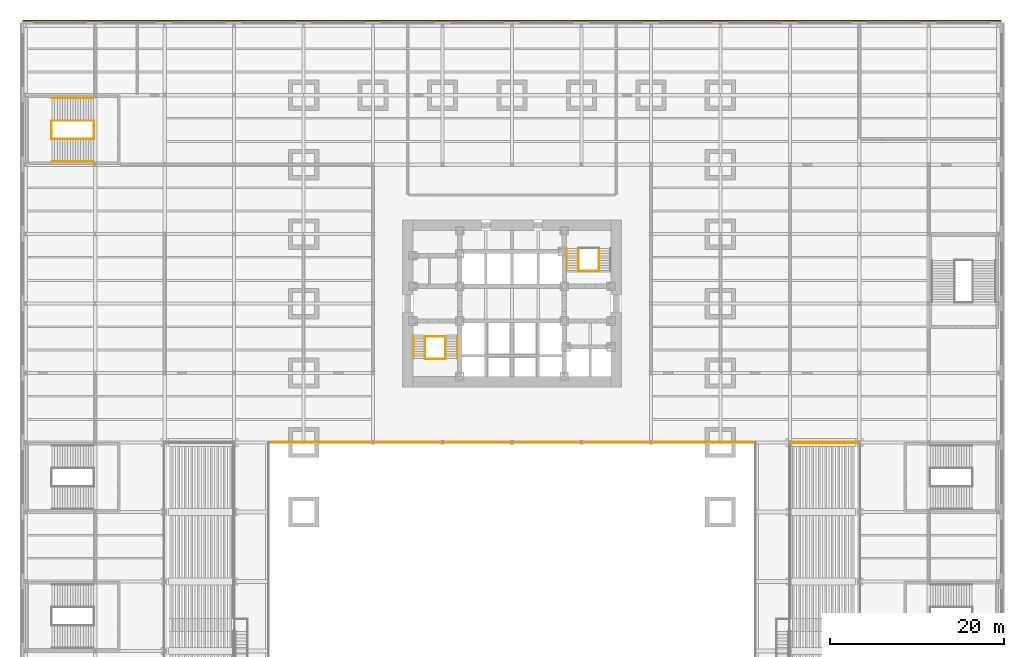
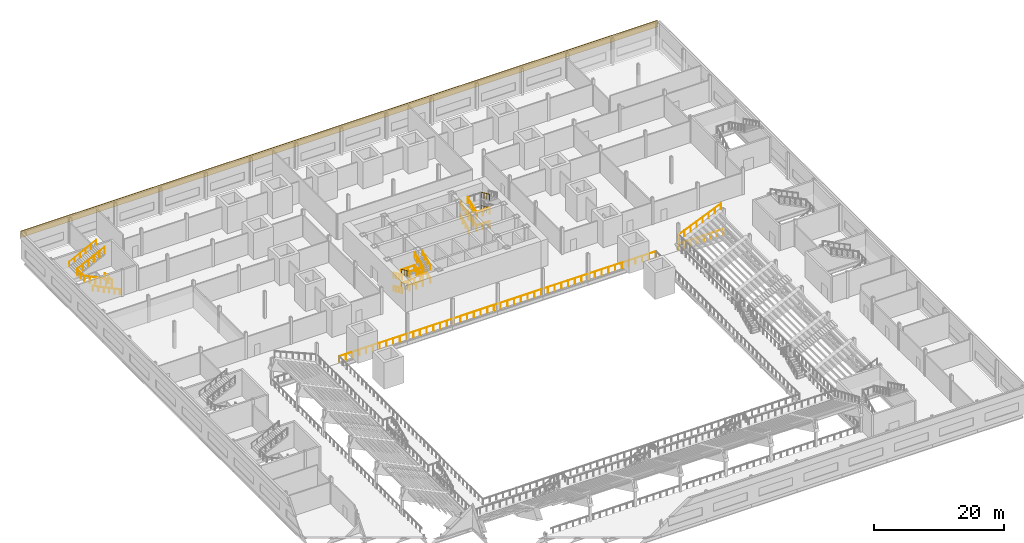
# One storey, part 26 of 27: 30 railings, 1 covering.
"""IFC4 building model written with IfcOpenShell, lengths in metres."""

from ifc_helpers import new_model, si_unit, direction, frame, origin, origin_2d, place, context, subcontext, project, spatial, rectangle, circle, extrude, material, layer, layer_set, type_object, element, save


model = new_model("IFC4")

# Units and contexts
model_context = context("Model", 3, precision=1e-05, world=origin(), true_north=direction((0.0, 1.0)))
body_context = subcontext(model_context, "Body", "Model", "MODEL_VIEW")
ifc_project = project(units=[si_unit("LENGTHUNIT", "METRE"), si_unit("AREAUNIT", "SQUARE_METRE"), si_unit("VOLUMEUNIT", "CUBIC_METRE"), si_unit("PLANEANGLEUNIT", "RADIAN"), si_unit("MASSUNIT", "GRAM", prefix="KILO")], contexts=[model_context])

# Site, building, storey
site_placement = place(None, origin())
site = spatial("IfcSite", under=ifc_project, at=site_placement, CompositionType="ELEMENT")
building_placement = place(site_placement, origin())
building = spatial("IfcBuilding", under=site, at=building_placement, Name="Daluyong Arena Tower", CompositionType="ELEMENT")
storey_placement = place(building_placement, frame((0.0, 0.0, 14.89990234375)))
storey = spatial("IfcBuildingStorey", under=building, at=storey_placement, Name="L03", CompositionType="ELEMENT", Elevation=14.89990234375)

# Railings
ifc_material_1 = material(Name="Steel guard with glass infill", Category="steel")
railing_type_1 = type_object("IfcRailingType", Name="Floor edge guard 1100", PredefinedType="GUARDRAIL", material=ifc_material_1)
railing_1_placement = place(storey_placement, frame((88.0, 63.949951171875, 1.785888671875)))
element("IfcRailing", 1, at=railing_1_placement, inside=storey, type_object=railing_type_1, Name="bowl guard", PredefinedType="GUARDRAIL", context=body_context, shape_type="SweptSolid", body=[
    extrude(circle(Radius=0.02392578125, at=origin_2d()), frame((0.0, 0.0, 1.076171875), z_axis=(0.919152767859, 0.0, 0.393901243127), x_axis=(0.0, 1.0, 0.0)), (0.0, 0.0, 1.0), 8.15966796875),
    extrude(circle(Radius=0.02099609375, at=origin_2d()), origin(), (0.0, 0.0, 1.0), 1.052001953125),
    extrude(circle(Radius=0.02099609375, at=origin_2d()), frame((1.071533203125, 0.0, 0.459228515625)), (0.0, 0.0, 1.0), 1.052001953125),
    extrude(circle(Radius=0.02099609375, at=origin_2d()), frame((2.142822265625, 0.0, 0.918212890625)), (0.0, 0.0, 1.0), 1.052001953125),
    extrude(circle(Radius=0.02099609375, at=origin_2d()), frame((3.21435546875, 0.0, 1.37744140625)), (0.0, 0.0, 1.0), 1.052001953125),
    extrude(circle(Radius=0.02099609375, at=origin_2d()), frame((4.28564453125, 0.0, 1.836669921875)), (0.0, 0.0, 1.0), 1.052001953125),
    extrude(circle(Radius=0.02099609375, at=origin_2d()), frame((5.357177734375, 0.0, 2.2958984375)), (0.0, 0.0, 1.0), 1.052001953125),
    extrude(circle(Radius=0.02099609375, at=origin_2d()), frame((6.428466796875, 0.0, 2.7548828125)), (0.0, 0.0, 1.0), 1.052001953125),
    extrude(circle(Radius=0.02099609375, at=origin_2d()), frame((7.5, 0.0, 3.214111328125)), (0.0, 0.0, 1.0), 1.052001953125),
])
railing_2_placement = place(storey_placement, frame((88.0, 64.050048828125, 0.0)))
element("IfcRailing", 2, at=railing_2_placement, inside=storey, type_object=railing_type_1, Name="floor edge guard L03", PredefinedType="GUARDRAIL", context=body_context, shape_type="SweptSolid", body=[
    extrude(circle(Radius=0.02392578125, at=origin_2d()), frame((0.0, 0.0, 1.076171875), z_axis=(1.0, 0.0, 0.0), x_axis=(0.0, 1.0, 0.0)), (0.0, 0.0, 1.0), 8.0),
    extrude(circle(Radius=0.02099609375, at=origin_2d()), origin(), (0.0, 0.0, 1.0), 1.052001953125),
    extrude(circle(Radius=0.02099609375, at=origin_2d()), frame((1.142822265625, 0.0, 0.0)), (0.0, 0.0, 1.0), 1.052001953125),
    extrude(circle(Radius=0.02099609375, at=origin_2d()), frame((2.28564453125, 0.0, 0.0)), (0.0, 0.0, 1.0), 1.052001953125),
    extrude(circle(Radius=0.02099609375, at=origin_2d()), frame((3.428466796875, 0.0, 0.0)), (0.0, 0.0, 1.0), 1.052001953125),
    extrude(circle(Radius=0.02099609375, at=origin_2d()), frame((4.571533203125, 0.0, 0.0)), (0.0, 0.0, 1.0), 1.052001953125),
    extrude(circle(Radius=0.02099609375, at=origin_2d()), frame((5.71435546875, 0.0, 0.0)), (0.0, 0.0, 1.0), 1.052001953125),
    extrude(circle(Radius=0.02099609375, at=origin_2d()), frame((6.857177734375, 0.0, 0.0)), (0.0, 0.0, 1.0), 1.052001953125),
    extrude(circle(Radius=0.02099609375, at=origin_2d()), frame((8.0, 0.0, 0.0)), (0.0, 0.0, 1.0), 1.052001953125),
])
railing_3_placement = place(storey_placement, frame((28.0, 64.050048828125, 0.0)))
element("IfcRailing", 3, at=railing_3_placement, inside=storey, type_object=railing_type_1, Name="floor edge guard L03", PredefinedType="GUARDRAIL", context=body_context, shape_type="SweptSolid", body=[
    extrude(circle(Radius=0.02392578125, at=origin_2d()), frame((0.0, 0.0, 1.076171875), z_axis=(1.0, 0.0, 0.0), x_axis=(0.0, 1.0, 0.0)), (0.0, 0.0, 1.0), 56.0),
    extrude(circle(Radius=0.02099609375, at=origin_2d()), origin(), (0.0, 0.0, 1.0), 1.052001953125),
    extrude(circle(Radius=0.02099609375, at=origin_2d()), frame((1.19140625, 0.0, 0.0)), (0.0, 0.0, 1.0), 1.052001953125),
    extrude(circle(Radius=0.02099609375, at=origin_2d()), frame((2.383056640625, 0.0, 0.0)), (0.0, 0.0, 1.0), 1.052001953125),
    extrude(circle(Radius=0.02099609375, at=origin_2d()), frame((3.574462890625, 0.0, 0.0)), (0.0, 0.0, 1.0), 1.052001953125),
    extrude(circle(Radius=0.02099609375, at=origin_2d()), frame((4.765869140625, 0.0, 0.0)), (0.0, 0.0, 1.0), 1.052001953125),
    extrude(circle(Radius=0.02099609375, at=origin_2d()), frame((5.95751953125, 0.0, 0.0)), (0.0, 0.0, 1.0), 1.052001953125),
    extrude(circle(Radius=0.02099609375, at=origin_2d()), frame((7.14892578125, 0.0, 0.0)), (0.0, 0.0, 1.0), 1.052001953125),
    extrude(circle(Radius=0.02099609375, at=origin_2d()), frame((8.34033203125, 0.0, 0.0)), (0.0, 0.0, 1.0), 1.052001953125),
    extrude(circle(Radius=0.02099609375, at=origin_2d()), frame((9.531982421875, 0.0, 0.0)), (0.0, 0.0, 1.0), 1.052001953125),
    extrude(circle(Radius=0.02099609375, at=origin_2d()), frame((10.723388671875, 0.0, 0.0)), (0.0, 0.0, 1.0), 1.052001953125),
    extrude(circle(Radius=0.02099609375, at=origin_2d()), frame((11.914794921875, 0.0, 0.0)), (0.0, 0.0, 1.0), 1.052001953125),
    extrude(circle(Radius=0.02099609375, at=origin_2d()), frame((13.1064453125, 0.0, 0.0)), (0.0, 0.0, 1.0), 1.052001953125),
    extrude(circle(Radius=0.02099609375, at=origin_2d()), frame((14.2978515625, 0.0, 0.0)), (0.0, 0.0, 1.0), 1.052001953125),
    extrude(circle(Radius=0.02099609375, at=origin_2d()), frame((15.4892578125, 0.0, 0.0)), (0.0, 0.0, 1.0), 1.052001953125),
    extrude(circle(Radius=0.02099609375, at=origin_2d()), frame((16.680908203125, 0.0, 0.0)), (0.0, 0.0, 1.0), 1.052001953125),
    extrude(circle(Radius=0.02099609375, at=origin_2d()), frame((17.872314453125, 0.0, 0.0)), (0.0, 0.0, 1.0), 1.052001953125),
    extrude(circle(Radius=0.02099609375, at=origin_2d()), frame((19.063720703125, 0.0, 0.0)), (0.0, 0.0, 1.0), 1.052001953125),
    extrude(circle(Radius=0.02099609375, at=origin_2d()), frame((20.25537109375, 0.0, 0.0)), (0.0, 0.0, 1.0), 1.052001953125),
    extrude(circle(Radius=0.02099609375, at=origin_2d()), frame((21.44677734375, 0.0, 0.0)), (0.0, 0.0, 1.0), 1.052001953125),
    extrude(circle(Radius=0.02099609375, at=origin_2d()), frame((22.63818359375, 0.0, 0.0)), (0.0, 0.0, 1.0), 1.052001953125),
    extrude(circle(Radius=0.02099609375, at=origin_2d()), frame((23.829833984375, 0.0, 0.0)), (0.0, 0.0, 1.0), 1.052001953125),
    extrude(circle(Radius=0.02099609375, at=origin_2d()), frame((25.021240234375, 0.0, 0.0)), (0.0, 0.0, 1.0), 1.052001953125),
    extrude(circle(Radius=0.02099609375, at=origin_2d()), frame((26.212646484375, 0.0, 0.0)), (0.0, 0.0, 1.0), 1.052001953125),
    extrude(circle(Radius=0.02099609375, at=origin_2d()), frame((27.404296875, 0.0, 0.0)), (0.0, 0.0, 1.0), 1.052001953125),
    extrude(circle(Radius=0.02099609375, at=origin_2d()), frame((28.595703125, 0.0, 0.0)), (0.0, 0.0, 1.0), 1.052001953125),
    extrude(circle(Radius=0.02099609375, at=origin_2d()), frame((29.787353515625, 0.0, 0.0)), (0.0, 0.0, 1.0), 1.052001953125),
    extrude(circle(Radius=0.02099609375, at=origin_2d()), frame((30.978759765625, 0.0, 0.0)), (0.0, 0.0, 1.0), 1.052001953125),
    extrude(circle(Radius=0.02099609375, at=origin_2d()), frame((32.170166015625, 0.0, 0.0)), (0.0, 0.0, 1.0), 1.052001953125),
    extrude(circle(Radius=0.02099609375, at=origin_2d()), frame((33.36181640625, 0.0, 0.0)), (0.0, 0.0, 1.0), 1.052001953125),
    extrude(circle(Radius=0.02099609375, at=origin_2d()), frame((34.55322265625, 0.0, 0.0)), (0.0, 0.0, 1.0), 1.052001953125),
    extrude(circle(Radius=0.02099609375, at=origin_2d()), frame((35.74462890625, 0.0, 0.0)), (0.0, 0.0, 1.0), 1.052001953125),
    extrude(circle(Radius=0.02099609375, at=origin_2d()), frame((36.936279296875, 0.0, 0.0)), (0.0, 0.0, 1.0), 1.052001953125),
    extrude(circle(Radius=0.02099609375, at=origin_2d()), frame((38.127685546875, 0.0, 0.0)), (0.0, 0.0, 1.0), 1.052001953125),
    extrude(circle(Radius=0.02099609375, at=origin_2d()), frame((39.319091796875, 0.0, 0.0)), (0.0, 0.0, 1.0), 1.052001953125),
    extrude(circle(Radius=0.02099609375, at=origin_2d()), frame((40.5107421875, 0.0, 0.0)), (0.0, 0.0, 1.0), 1.052001953125),
    extrude(circle(Radius=0.02099609375, at=origin_2d()), frame((41.7021484375, 0.0, 0.0)), (0.0, 0.0, 1.0), 1.052001953125),
    extrude(circle(Radius=0.02099609375, at=origin_2d()), frame((42.8935546875, 0.0, 0.0)), (0.0, 0.0, 1.0), 1.052001953125),
    extrude(circle(Radius=0.02099609375, at=origin_2d()), frame((44.085205078125, 0.0, 0.0)), (0.0, 0.0, 1.0), 1.052001953125),
    extrude(circle(Radius=0.02099609375, at=origin_2d()), frame((45.276611328125, 0.0, 0.0)), (0.0, 0.0, 1.0), 1.052001953125),
    extrude(circle(Radius=0.02099609375, at=origin_2d()), frame((46.468017578125, 0.0, 0.0)), (0.0, 0.0, 1.0), 1.052001953125),
    extrude(circle(Radius=0.02099609375, at=origin_2d()), frame((47.65966796875, 0.0, 0.0)), (0.0, 0.0, 1.0), 1.052001953125),
    extrude(circle(Radius=0.02099609375, at=origin_2d()), frame((48.85107421875, 0.0, 0.0)), (0.0, 0.0, 1.0), 1.052001953125),
    extrude(circle(Radius=0.02099609375, at=origin_2d()), frame((50.04248046875, 0.0, 0.0)), (0.0, 0.0, 1.0), 1.052001953125),
    extrude(circle(Radius=0.02099609375, at=origin_2d()), frame((51.234130859375, 0.0, 0.0)), (0.0, 0.0, 1.0), 1.052001953125),
    extrude(circle(Radius=0.02099609375, at=origin_2d()), frame((52.425537109375, 0.0, 0.0)), (0.0, 0.0, 1.0), 1.052001953125),
    extrude(circle(Radius=0.02099609375, at=origin_2d()), frame((53.616943359375, 0.0, 0.0)), (0.0, 0.0, 1.0), 1.052001953125),
    extrude(circle(Radius=0.02099609375, at=origin_2d()), frame((54.80859375, 0.0, 0.0)), (0.0, 0.0, 1.0), 1.052001953125),
    extrude(circle(Radius=0.02099609375, at=origin_2d()), frame((56.0, 0.0, 0.0)), (0.0, 0.0, 1.0), 1.052001953125),
])

# Covering
ifc_material_2 = material(Name="Red-pigmented glass fibre reinforced concrete", Category="concrete")
ifc_layer = layer(ifc_material_2, 0.14990234375)
ifc_layer_set = layer_set([ifc_layer], Name="Red-pigmented glass fibre reinforced concrete")
covering_type = type_object("IfcCoveringType", Name="Podium band cladding", PredefinedType="CLADDING", material=ifc_layer_set)
covering_placement = place(storey_placement, frame((56.0, 112.574951171875, 3.80029296875), z_axis=(0.0, 0.0, 1.0), x_axis=(-1.0, 0.0, 0.0)))
element("IfcCovering", 4, at=covering_placement, inside=storey, type_object=covering_type, Name="podium band N L03", PredefinedType="CLADDING", context=body_context, shape_type="SweptSolid", body=[
    extrude(rectangle(XDim=112.699951171875, YDim=0.14990234375, at=origin_2d()), origin(), (0.0, 0.0, 1.0), 1.199951171875),
])

# Railings
ifc_material_3 = material(Name="Stainless steel handrail", Category="steel")
railing_type_2 = type_object("IfcRailingType", Name="Stair handrail", PredefinedType="HANDRAIL", material=ifc_material_3)
railing_4_placement = place(storey_placement, frame((44.64990234375, 76.175048828125, 0.125)))
element("IfcRailing", 5, at=railing_4_placement, inside=storey, type_object=railing_type_2, Name="exit stair A handrail L03", PredefinedType="HANDRAIL", context=body_context, shape_type="SweptSolid", body=[
    extrude(circle(Radius=0.02392578125, at=origin_2d()), frame((0.0, 0.0, 0.8759765625), z_axis=(0.0, -0.913139058521, 0.407648205936), x_axis=(1.0, 0.0, 0.0)), (0.0, 0.0, 1.0), 2.759765625),
    extrude(circle(Radius=0.02099609375, at=origin_2d()), origin(), (0.0, 0.0, 1.0), 0.851806640625),
    extrude(circle(Radius=0.02099609375, at=origin_2d()), frame((0.0, -0.840087890625, 0.375)), (0.0, 0.0, 1.0), 0.851806640625),
    extrude(circle(Radius=0.02099609375, at=origin_2d()), frame((0.0, -1.679931640625, 0.75)), (0.0, 0.0, 1.0), 0.851806640625),
    extrude(circle(Radius=0.02099609375, at=origin_2d()), frame((0.0, -2.52001953125, 1.125)), (0.0, 0.0, 1.0), 0.851806640625),
])
railing_5_placement = place(storey_placement, frame((49.699951171875, 73.655029296875, 1.375)))
element("IfcRailing", 6, at=railing_5_placement, inside=storey, type_object=railing_type_2, Name="exit stair A handrail L03", PredefinedType="HANDRAIL", context=body_context, shape_type="SweptSolid", body=[
    extrude(circle(Radius=0.02392578125, at=origin_2d()), frame((0.0, 0.0, 0.8759765625), z_axis=(0.0, 0.913139058521, 0.407648205936), x_axis=(-1.0, 0.0, 0.0)), (0.0, 0.0, 1.0), 2.759765625),
    extrude(circle(Radius=0.02099609375, at=origin_2d()), origin(), (0.0, 0.0, 1.0), 0.851806640625),
    extrude(circle(Radius=0.02099609375, at=origin_2d()), frame((0.0, 0.840087890625, 0.375)), (0.0, 0.0, 1.0), 0.851806640625),
    extrude(circle(Radius=0.02099609375, at=origin_2d()), frame((0.0, 1.679931640625, 0.75)), (0.0, 0.0, 1.0), 0.851806640625),
    extrude(circle(Radius=0.02099609375, at=origin_2d()), frame((0.0, 2.52001953125, 1.125)), (0.0, 0.0, 1.0), 0.851806640625),
])
railing_6_placement = place(storey_placement, frame((44.64990234375, 76.175048828125, 2.625)))
element("IfcRailing", 7, at=railing_6_placement, inside=storey, type_object=railing_type_2, Name="exit stair A handrail L03", PredefinedType="HANDRAIL", context=body_context, shape_type="SweptSolid", body=[
    extrude(circle(Radius=0.02392578125, at=origin_2d()), frame((0.0, 0.0, 0.8759765625), z_axis=(0.0, -0.913139058521, 0.407648205936), x_axis=(1.0, 0.0, 0.0)), (0.0, 0.0, 1.0), 2.759765625),
    extrude(circle(Radius=0.02099609375, at=origin_2d()), origin(), (0.0, 0.0, 1.0), 0.851806640625),
    extrude(circle(Radius=0.02099609375, at=origin_2d()), frame((0.0, -0.840087890625, 0.375)), (0.0, 0.0, 1.0), 0.851806640625),
    extrude(circle(Radius=0.02099609375, at=origin_2d()), frame((0.0, -1.679931640625, 0.75)), (0.0, 0.0, 1.0), 0.851806640625),
    extrude(circle(Radius=0.02099609375, at=origin_2d()), frame((0.0, -2.52001953125, 1.125)), (0.0, 0.0, 1.0), 0.851806640625),
])
for number, where, name in (
    (8, (49.699951171875, 73.655029296875, 3.875), "exit stair A handrail L03"),
    (9, (62.300048828125, 83.824951171875, 0.125), "exit stair B handrail L03"),
    (10, (62.300048828125, 83.824951171875, 2.625), "exit stair B handrail L03"),
):
    element("IfcRailing", number, at=place(storey_placement, frame(where)), inside=storey, type_object=railing_type_2, Name=name, PredefinedType="HANDRAIL", context=body_context, shape_type="SweptSolid", body=[
        extrude(circle(Radius=0.02392578125, at=origin_2d()), frame((0.0, 0.0, 0.8759765625), z_axis=(0.0, 0.913139058521, 0.407648205936), x_axis=(-1.0, 0.0, 0.0)), (0.0, 0.0, 1.0), 2.759765625),
        extrude(circle(Radius=0.02099609375, at=origin_2d()), origin(), (0.0, 0.0, 1.0), 0.851806640625),
        extrude(circle(Radius=0.02099609375, at=origin_2d()), frame((0.0, 0.840087890625, 0.375)), (0.0, 0.0, 1.0), 0.851806640625),
        extrude(circle(Radius=0.02099609375, at=origin_2d()), frame((0.0, 1.679931640625, 0.75)), (0.0, 0.0, 1.0), 0.851806640625),
        extrude(circle(Radius=0.02099609375, at=origin_2d()), frame((0.0, 2.52001953125, 1.125)), (0.0, 0.0, 1.0), 0.851806640625),
    ])
railing_7_placement = place(storey_placement, frame((7.840087890625, 96.35009765625, 0.147216796875)))
element("IfcRailing", 11, at=railing_7_placement, inside=storey, type_object=railing_type_2, Name="exit stair PS5 handrail L03", PredefinedType="HANDRAIL", context=body_context, shape_type="SweptSolid", body=[
    extrude(circle(Radius=0.02392578125, at=origin_2d()), frame((0.0, 0.0, 0.8759765625), z_axis=(-0.89793417156, 0.0, 0.440129780343), x_axis=(0.0, -1.0, 0.0)), (0.0, 0.0, 1.0), 5.345703125),
    extrude(circle(Radius=0.02099609375, at=origin_2d()), origin(), (0.0, 0.0, 1.0), 0.851806640625),
    extrude(circle(Radius=0.02099609375, at=origin_2d()), frame((-0.9599609375, 0.0, 0.470458984375)), (0.0, 0.0, 1.0), 0.851806640625),
    extrude(circle(Radius=0.02099609375, at=origin_2d()), frame((-1.919921875, 0.0, 0.941162109375)), (0.0, 0.0, 1.0), 0.851806640625),
    extrude(circle(Radius=0.02099609375, at=origin_2d()), frame((-2.880126953125, 0.0, 1.41162109375)), (0.0, 0.0, 1.0), 0.851806640625),
    extrude(circle(Radius=0.02099609375, at=origin_2d()), frame((-3.840087890625, 0.0, 1.88232421875)), (0.0, 0.0, 1.0), 0.851806640625),
    extrude(circle(Radius=0.02099609375, at=origin_2d()), frame((-4.800048828125, 0.0, 2.352783203125)), (0.0, 0.0, 1.0), 0.851806640625),
])
railing_8_placement = place(storey_placement, frame((3.0400390625, 103.64990234375, 2.647216796875)))
element("IfcRailing", 12, at=railing_8_placement, inside=storey, type_object=railing_type_2, Name="exit stair PS5 handrail L03", PredefinedType="HANDRAIL", context=body_context, shape_type="SweptSolid", body=[
    extrude(circle(Radius=0.02392578125, at=origin_2d()), frame((0.0, 0.0, 0.8759765625), z_axis=(0.89793417156, 0.0, 0.440129780343), x_axis=(0.0, 1.0, 0.0)), (0.0, 0.0, 1.0), 5.345703125),
    extrude(circle(Radius=0.02099609375, at=origin_2d()), origin(), (0.0, 0.0, 1.0), 0.851806640625),
    extrude(circle(Radius=0.02099609375, at=origin_2d()), frame((0.9599609375, 0.0, 0.470458984375)), (0.0, 0.0, 1.0), 0.851806640625),
    extrude(circle(Radius=0.02099609375, at=origin_2d()), frame((1.919921875, 0.0, 0.941162109375)), (0.0, 0.0, 1.0), 0.851806640625),
    extrude(circle(Radius=0.02099609375, at=origin_2d()), frame((2.880126953125, 0.0, 1.41162109375)), (0.0, 0.0, 1.0), 0.851806640625),
    extrude(circle(Radius=0.02099609375, at=origin_2d()), frame((3.840087890625, 0.0, 1.88232421875)), (0.0, 0.0, 1.0), 0.851806640625),
    extrude(circle(Radius=0.02099609375, at=origin_2d()), frame((4.800048828125, 0.0, 2.352783203125)), (0.0, 0.0, 1.0), 0.851806640625),
])
ifc_material_4 = material(Name="Steel balustrade", Category="steel")
railing_type_3 = type_object("IfcRailingType", Name="Stair well guard 1100", PredefinedType="GUARDRAIL", material=ifc_material_4)
railing_9_placement = place(storey_placement, frame((46.0, 76.175048828125, 0.125)))
element("IfcRailing", 13, at=railing_9_placement, inside=storey, type_object=railing_type_3, Name="exit stair A well guard L03", PredefinedType="GUARDRAIL", context=body_context, shape_type="SweptSolid", body=[
    extrude(circle(Radius=0.02392578125, at=origin_2d()), frame((0.0, 0.0, 1.076171875), z_axis=(0.0, -0.913139058521, 0.407648205936), x_axis=(1.0, 0.0, 0.0)), (0.0, 0.0, 1.0), 2.759765625),
    extrude(circle(Radius=0.02099609375, at=origin_2d()), origin(), (0.0, 0.0, 1.0), 1.052001953125),
    extrude(circle(Radius=0.02099609375, at=origin_2d()), frame((0.0, -0.840087890625, 0.375)), (0.0, 0.0, 1.0), 1.052001953125),
    extrude(circle(Radius=0.02099609375, at=origin_2d()), frame((0.0, -1.679931640625, 0.75)), (0.0, 0.0, 1.0), 1.052001953125),
    extrude(circle(Radius=0.02099609375, at=origin_2d()), frame((0.0, -2.52001953125, 1.125)), (0.0, 0.0, 1.0), 1.052001953125),
])
railing_10_placement = place(storey_placement, frame((48.35009765625, 73.655029296875, 1.375)))
element("IfcRailing", 14, at=railing_10_placement, inside=storey, type_object=railing_type_3, Name="exit stair A well guard L03", PredefinedType="GUARDRAIL", context=body_context, shape_type="SweptSolid", body=[
    extrude(circle(Radius=0.02392578125, at=origin_2d()), frame((0.0, 0.0, 1.076171875), z_axis=(0.0, 0.913139058521, 0.407648205936), x_axis=(-1.0, 0.0, 0.0)), (0.0, 0.0, 1.0), 2.759765625),
    extrude(circle(Radius=0.02099609375, at=origin_2d()), origin(), (0.0, 0.0, 1.0), 1.052001953125),
    extrude(circle(Radius=0.02099609375, at=origin_2d()), frame((0.0, 0.840087890625, 0.375)), (0.0, 0.0, 1.0), 1.052001953125),
    extrude(circle(Radius=0.02099609375, at=origin_2d()), frame((0.0, 1.679931640625, 0.75)), (0.0, 0.0, 1.0), 1.052001953125),
    extrude(circle(Radius=0.02099609375, at=origin_2d()), frame((0.0, 2.52001953125, 1.125)), (0.0, 0.0, 1.0), 1.052001953125),
])
railing_11_placement = place(storey_placement, frame((46.0, 76.175048828125, 2.625)))
element("IfcRailing", 15, at=railing_11_placement, inside=storey, type_object=railing_type_3, Name="exit stair A well guard L03", PredefinedType="GUARDRAIL", context=body_context, shape_type="SweptSolid", body=[
    extrude(circle(Radius=0.02392578125, at=origin_2d()), frame((0.0, 0.0, 1.076171875), z_axis=(0.0, -0.913139058521, 0.407648205936), x_axis=(1.0, 0.0, 0.0)), (0.0, 0.0, 1.0), 2.759765625),
    extrude(circle(Radius=0.02099609375, at=origin_2d()), origin(), (0.0, 0.0, 1.0), 1.052001953125),
    extrude(circle(Radius=0.02099609375, at=origin_2d()), frame((0.0, -0.840087890625, 0.375)), (0.0, 0.0, 1.0), 1.052001953125),
    extrude(circle(Radius=0.02099609375, at=origin_2d()), frame((0.0, -1.679931640625, 0.75)), (0.0, 0.0, 1.0), 1.052001953125),
    extrude(circle(Radius=0.02099609375, at=origin_2d()), frame((0.0, -2.52001953125, 1.125)), (0.0, 0.0, 1.0), 1.052001953125),
])
railing_12_placement = place(storey_placement, frame((48.35009765625, 73.655029296875, 3.875)))
element("IfcRailing", 16, at=railing_12_placement, inside=storey, type_object=railing_type_3, Name="exit stair A well guard L03", PredefinedType="GUARDRAIL", context=body_context, shape_type="SweptSolid", body=[
    extrude(circle(Radius=0.02392578125, at=origin_2d()), frame((0.0, 0.0, 1.076171875), z_axis=(0.0, 0.913139058521, 0.407648205936), x_axis=(-1.0, 0.0, 0.0)), (0.0, 0.0, 1.0), 2.759765625),
    extrude(circle(Radius=0.02099609375, at=origin_2d()), origin(), (0.0, 0.0, 1.0), 1.052001953125),
    extrude(circle(Radius=0.02099609375, at=origin_2d()), frame((0.0, 0.840087890625, 0.375)), (0.0, 0.0, 1.0), 1.052001953125),
    extrude(circle(Radius=0.02099609375, at=origin_2d()), frame((0.0, 1.679931640625, 0.75)), (0.0, 0.0, 1.0), 1.052001953125),
    extrude(circle(Radius=0.02099609375, at=origin_2d()), frame((0.0, 2.52001953125, 1.125)), (0.0, 0.0, 1.0), 1.052001953125),
])
for number, where, name in (
    (17, (46.0, 73.60498046875, 1.25), "exit stair A landing guard L03"),
    (18, (46.0, 76.22509765625, 2.5), "exit stair A landing guard L03"),
    (19, (46.0, 73.60498046875, 3.75), "exit stair A landing guard L03"),
):
    element("IfcRailing", number, at=place(storey_placement, frame(where)), inside=storey, type_object=railing_type_3, Name=name, PredefinedType="GUARDRAIL", context=body_context, shape_type="SweptSolid", body=[
        extrude(circle(Radius=0.02392578125, at=origin_2d()), frame((0.0, 0.0, 1.076171875), z_axis=(1.0, 0.0, 0.0), x_axis=(0.0, 1.0, 0.0)), (0.0, 0.0, 1.0), 2.35009765625),
        extrude(circle(Radius=0.02099609375, at=origin_2d()), origin(), (0.0, 0.0, 1.0), 1.052001953125),
        extrude(circle(Radius=0.02099609375, at=origin_2d()), frame((1.175048828125, 0.0, 0.0)), (0.0, 0.0, 1.0), 1.052001953125),
        extrude(circle(Radius=0.02099609375, at=origin_2d()), frame((2.35009765625, 0.0, 0.0)), (0.0, 0.0, 1.0), 1.052001953125),
    ])
railing_13_placement = place(storey_placement, frame((48.35009765625, 73.60498046875, 2.5)))
element("IfcRailing", 20, at=railing_13_placement, inside=storey, type_object=railing_type_3, Name="exit stair A landing guard L03", PredefinedType="GUARDRAIL", context=body_context, shape_type="SweptSolid", body=[
    extrude(circle(Radius=0.02392578125, at=origin_2d()), frame((0.0, 0.0, 1.076171875), z_axis=(0.0, 1.0, 0.0), x_axis=(-1.0, 0.0, 0.0)), (0.0, 0.0, 1.0), 2.570068359375),
    extrude(circle(Radius=0.02099609375, at=origin_2d()), origin(), (0.0, 0.0, 1.0), 1.052001953125),
    extrude(circle(Radius=0.02099609375, at=origin_2d()), frame((0.0, 0.856689453125, 0.0)), (0.0, 0.0, 1.0), 1.052001953125),
    extrude(circle(Radius=0.02099609375, at=origin_2d()), frame((0.0, 1.71337890625, 0.0)), (0.0, 0.0, 1.0), 1.052001953125),
    extrude(circle(Radius=0.02099609375, at=origin_2d()), frame((0.0, 2.570068359375, 0.0)), (0.0, 0.0, 1.0), 1.052001953125),
])
railing_14_placement = place(storey_placement, frame((46.0, 76.22509765625, 0.0)))
element("IfcRailing", 21, at=railing_14_placement, inside=storey, type_object=railing_type_3, Name="exit stair A floor landing guard L03", PredefinedType="GUARDRAIL", context=body_context, shape_type="SweptSolid", body=[
    extrude(circle(Radius=0.02392578125, at=origin_2d()), frame((0.0, 0.0, 1.076171875), z_axis=(1.0, 0.0, 0.0), x_axis=(0.0, 1.0, 0.0)), (0.0, 0.0, 1.0), 2.35009765625),
    extrude(circle(Radius=0.02099609375, at=origin_2d()), origin(), (0.0, 0.0, 1.0), 1.052001953125),
    extrude(circle(Radius=0.02099609375, at=origin_2d()), frame((1.175048828125, 0.0, 0.0)), (0.0, 0.0, 1.0), 1.052001953125),
    extrude(circle(Radius=0.02099609375, at=origin_2d()), frame((2.35009765625, 0.0, 0.0)), (0.0, 0.0, 1.0), 1.052001953125),
])
railing_15_placement = place(storey_placement, frame((63.64990234375, 83.824951171875, 0.125)))
element("IfcRailing", 22, at=railing_15_placement, inside=storey, type_object=railing_type_3, Name="exit stair B well guard L03", PredefinedType="GUARDRAIL", context=body_context, shape_type="SweptSolid", body=[
    extrude(circle(Radius=0.02392578125, at=origin_2d()), frame((0.0, 0.0, 1.076171875), z_axis=(0.0, 0.913139058521, 0.407648205936), x_axis=(-1.0, 0.0, 0.0)), (0.0, 0.0, 1.0), 2.759765625),
    extrude(circle(Radius=0.02099609375, at=origin_2d()), origin(), (0.0, 0.0, 1.0), 1.052001953125),
    extrude(circle(Radius=0.02099609375, at=origin_2d()), frame((0.0, 0.840087890625, 0.375)), (0.0, 0.0, 1.0), 1.052001953125),
    extrude(circle(Radius=0.02099609375, at=origin_2d()), frame((0.0, 1.679931640625, 0.75)), (0.0, 0.0, 1.0), 1.052001953125),
    extrude(circle(Radius=0.02099609375, at=origin_2d()), frame((0.0, 2.52001953125, 1.125)), (0.0, 0.0, 1.0), 1.052001953125),
])
railing_16_placement = place(storey_placement, frame((66.0, 86.344970703125, 1.375)))
element("IfcRailing", 23, at=railing_16_placement, inside=storey, type_object=railing_type_3, Name="exit stair B well guard L03", PredefinedType="GUARDRAIL", context=body_context, shape_type="SweptSolid", body=[
    extrude(circle(Radius=0.02392578125, at=origin_2d()), frame((0.0, 0.0, 1.076171875), z_axis=(0.0, -0.913139058521, 0.407648205936), x_axis=(1.0, 0.0, 0.0)), (0.0, 0.0, 1.0), 2.759765625),
    extrude(circle(Radius=0.02099609375, at=origin_2d()), origin(), (0.0, 0.0, 1.0), 1.052001953125),
    extrude(circle(Radius=0.02099609375, at=origin_2d()), frame((0.0, -0.840087890625, 0.375)), (0.0, 0.0, 1.0), 1.052001953125),
    extrude(circle(Radius=0.02099609375, at=origin_2d()), frame((0.0, -1.679931640625, 0.75)), (0.0, 0.0, 1.0), 1.052001953125),
    extrude(circle(Radius=0.02099609375, at=origin_2d()), frame((0.0, -2.52001953125, 1.125)), (0.0, 0.0, 1.0), 1.052001953125),
])
railing_17_placement = place(storey_placement, frame((63.64990234375, 83.824951171875, 2.625)))
element("IfcRailing", 24, at=railing_17_placement, inside=storey, type_object=railing_type_3, Name="exit stair B well guard L03", PredefinedType="GUARDRAIL", context=body_context, shape_type="SweptSolid", body=[
    extrude(circle(Radius=0.02392578125, at=origin_2d()), frame((0.0, 0.0, 1.076171875), z_axis=(0.0, 0.913139058521, 0.407648205936), x_axis=(-1.0, 0.0, 0.0)), (0.0, 0.0, 1.0), 2.759765625),
    extrude(circle(Radius=0.02099609375, at=origin_2d()), origin(), (0.0, 0.0, 1.0), 1.052001953125),
    extrude(circle(Radius=0.02099609375, at=origin_2d()), frame((0.0, 0.840087890625, 0.375)), (0.0, 0.0, 1.0), 1.052001953125),
    extrude(circle(Radius=0.02099609375, at=origin_2d()), frame((0.0, 1.679931640625, 0.75)), (0.0, 0.0, 1.0), 1.052001953125),
    extrude(circle(Radius=0.02099609375, at=origin_2d()), frame((0.0, 2.52001953125, 1.125)), (0.0, 0.0, 1.0), 1.052001953125),
])
railing_18_placement = place(storey_placement, frame((66.0, 86.344970703125, 3.875)))
element("IfcRailing", 25, at=railing_18_placement, inside=storey, type_object=railing_type_3, Name="exit stair B well guard L03", PredefinedType="GUARDRAIL", context=body_context, shape_type="SweptSolid", body=[
    extrude(circle(Radius=0.02392578125, at=origin_2d()), frame((0.0, 0.0, 1.076171875), z_axis=(0.0, -0.913139058521, 0.407648205936), x_axis=(1.0, 0.0, 0.0)), (0.0, 0.0, 1.0), 2.759765625),
    extrude(circle(Radius=0.02099609375, at=origin_2d()), origin(), (0.0, 0.0, 1.0), 1.052001953125),
    extrude(circle(Radius=0.02099609375, at=origin_2d()), frame((0.0, -0.840087890625, 0.375)), (0.0, 0.0, 1.0), 1.052001953125),
    extrude(circle(Radius=0.02099609375, at=origin_2d()), frame((0.0, -1.679931640625, 0.75)), (0.0, 0.0, 1.0), 1.052001953125),
    extrude(circle(Radius=0.02099609375, at=origin_2d()), frame((0.0, -2.52001953125, 1.125)), (0.0, 0.0, 1.0), 1.052001953125),
])
for number, where, name in (
    (26, (63.64990234375, 83.77490234375, 2.5), "exit stair B landing guard L03"),
    (27, (63.64990234375, 83.77490234375, 0.0), "exit stair B floor landing guard L03"),
):
    element("IfcRailing", number, at=place(storey_placement, frame(where)), inside=storey, type_object=railing_type_3, Name=name, PredefinedType="GUARDRAIL", context=body_context, shape_type="SweptSolid", body=[
        extrude(circle(Radius=0.02392578125, at=origin_2d()), frame((0.0, 0.0, 1.076171875), z_axis=(1.0, 0.0, 0.0), x_axis=(0.0, 1.0, 0.0)), (0.0, 0.0, 1.0), 2.35009765625),
        extrude(circle(Radius=0.02099609375, at=origin_2d()), origin(), (0.0, 0.0, 1.0), 1.052001953125),
        extrude(circle(Radius=0.02099609375, at=origin_2d()), frame((1.175048828125, 0.0, 0.0)), (0.0, 0.0, 1.0), 1.052001953125),
        extrude(circle(Radius=0.02099609375, at=origin_2d()), frame((2.35009765625, 0.0, 0.0)), (0.0, 0.0, 1.0), 1.052001953125),
    ])
ifc_material_5 = material(Name="Steel balustrade", Category="steel")
railing_type_4 = type_object("IfcRailingType", Name="Stair well guard 1200", PredefinedType="GUARDRAIL", material=ifc_material_5)
railing_19_placement = place(storey_placement, frame((7.840087890625, 98.949951171875, 0.147216796875)))
element("IfcRailing", 28, at=railing_19_placement, inside=storey, type_object=railing_type_4, Name="exit stair PS5 well guard L03", PredefinedType="GUARDRAIL", context=body_context, shape_type="SweptSolid", body=[
    extrude(circle(Radius=0.02392578125, at=origin_2d()), frame((0.0, 0.0, 1.17578125), z_axis=(-0.89793417156, 0.0, 0.440129780343), x_axis=(0.0, -1.0, 0.0)), (0.0, 0.0, 1.0), 5.345703125),
    extrude(circle(Radius=0.02099609375, at=origin_2d()), origin(), (0.0, 0.0, 1.0), 1.15185546875),
    extrude(circle(Radius=0.02099609375, at=origin_2d()), frame((-0.9599609375, 0.0, 0.470458984375)), (0.0, 0.0, 1.0), 1.15185546875),
    extrude(circle(Radius=0.02099609375, at=origin_2d()), frame((-1.919921875, 0.0, 0.941162109375)), (0.0, 0.0, 1.0), 1.15185546875),
    extrude(circle(Radius=0.02099609375, at=origin_2d()), frame((-2.880126953125, 0.0, 1.41162109375)), (0.0, 0.0, 1.0), 1.15185546875),
    extrude(circle(Radius=0.02099609375, at=origin_2d()), frame((-3.840087890625, 0.0, 1.88232421875)), (0.0, 0.0, 1.0), 1.15185546875),
    extrude(circle(Radius=0.02099609375, at=origin_2d()), frame((-4.800048828125, 0.0, 2.352783203125)), (0.0, 0.0, 1.0), 1.15185546875),
])
railing_20_placement = place(storey_placement, frame((3.0400390625, 101.050048828125, 2.647216796875)))
element("IfcRailing", 29, at=railing_20_placement, inside=storey, type_object=railing_type_4, Name="exit stair PS5 well guard L03", PredefinedType="GUARDRAIL", context=body_context, shape_type="SweptSolid", body=[
    extrude(circle(Radius=0.02392578125, at=origin_2d()), frame((0.0, 0.0, 1.17578125), z_axis=(0.89793417156, 0.0, 0.440129780343), x_axis=(0.0, 1.0, 0.0)), (0.0, 0.0, 1.0), 5.345703125),
    extrude(circle(Radius=0.02099609375, at=origin_2d()), origin(), (0.0, 0.0, 1.0), 1.15185546875),
    extrude(circle(Radius=0.02099609375, at=origin_2d()), frame((0.9599609375, 0.0, 0.470458984375)), (0.0, 0.0, 1.0), 1.15185546875),
    extrude(circle(Radius=0.02099609375, at=origin_2d()), frame((1.919921875, 0.0, 0.941162109375)), (0.0, 0.0, 1.0), 1.15185546875),
    extrude(circle(Radius=0.02099609375, at=origin_2d()), frame((2.880126953125, 0.0, 1.41162109375)), (0.0, 0.0, 1.0), 1.15185546875),
    extrude(circle(Radius=0.02099609375, at=origin_2d()), frame((3.840087890625, 0.0, 1.88232421875)), (0.0, 0.0, 1.0), 1.15185546875),
    extrude(circle(Radius=0.02099609375, at=origin_2d()), frame((4.800048828125, 0.0, 2.352783203125)), (0.0, 0.0, 1.0), 1.15185546875),
])
for number, where, name in (
    (30, (2.989990234375, 98.949951171875, 2.5), "exit stair PS5 landing guard L03"),
    (31, (7.889892578125, 98.949951171875, 0.0), "exit stair PS5 floor landing guard L03"),
):
    element("IfcRailing", number, at=place(storey_placement, frame(where)), inside=storey, type_object=railing_type_4, Name=name, PredefinedType="GUARDRAIL", context=body_context, shape_type="SweptSolid", body=[
        extrude(circle(Radius=0.02392578125, at=origin_2d()), frame((0.0, 0.0, 1.17578125), z_axis=(0.0, 1.0, 0.0), x_axis=(-1.0, 0.0, 0.0)), (0.0, 0.0, 1.0), 2.10009765625),
        extrude(circle(Radius=0.02099609375, at=origin_2d()), origin(), (0.0, 0.0, 1.0), 1.15185546875),
        extrude(circle(Radius=0.02099609375, at=origin_2d()), frame((0.0, 1.050048828125, 0.0)), (0.0, 0.0, 1.0), 1.15185546875),
        extrude(circle(Radius=0.02099609375, at=origin_2d()), frame((0.0, 2.10009765625, 0.0)), (0.0, 0.0, 1.0), 1.15185546875),
    ])

save(model, "model.ifc")
